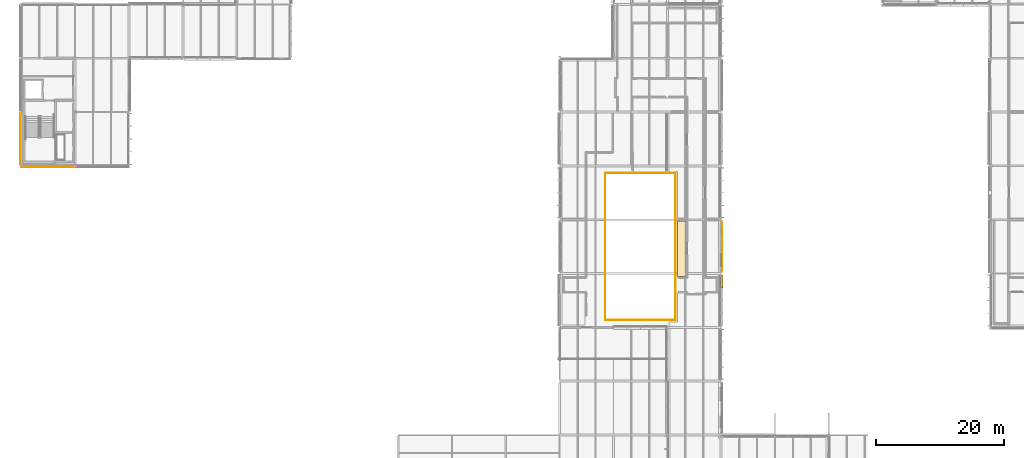
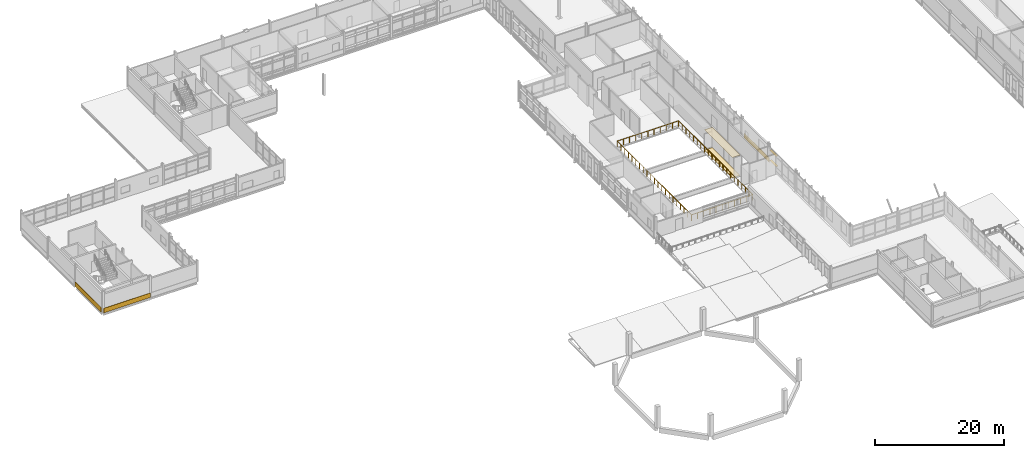
# One storey, part 119 of 131: 5 coverings, 2 shading devices, 1 railing.
"""IFC4 building model written with IfcOpenShell, lengths in metres."""

from ifc_helpers import new_model, si_unit, direction, frame, origin, origin_2d, place, context, subcontext, project, spatial, polyline, rectangle, circle, outline, extrude, material, layer, layer_set, type_object, element, save


model = new_model("IFC4")

# Units and contexts
model_context = context("Model", 3, precision=1e-05, world=origin(), true_north=direction((0.0, 1.0)))
body_context = subcontext(model_context, "Body", "Model", "MODEL_VIEW")
ifc_project = project(units=[si_unit("LENGTHUNIT", "METRE"), si_unit("AREAUNIT", "SQUARE_METRE"), si_unit("VOLUMEUNIT", "CUBIC_METRE"), si_unit("PLANEANGLEUNIT", "RADIAN"), si_unit("MASSUNIT", "GRAM", prefix="KILO")], contexts=[model_context])

# Site, building, storey
site_placement = place(None, origin())
site = spatial("IfcSite", under=ifc_project, at=site_placement, CompositionType="ELEMENT")
building_placement = place(site_placement, origin())
building = spatial("IfcBuilding", under=site, at=building_placement, Name="Mersafa Astral City Hall", CompositionType="ELEMENT")
storey_placement = place(building_placement, frame((0.0, 0.0, 13.949951171875)))
storey = spatial("IfcBuildingStorey", under=building, at=storey_placement, Name="L03", CompositionType="ELEMENT", Elevation=13.949951171875)

# Coverings
ifc_material_1 = material(Name="Cairo Mokattam buff limestone cladding", Category="masonry")
ifc_layer_1 = layer(ifc_material_1, 0.06005859375, Name="Cairo Mokattam buff limestone cladding")
ifc_layer_set_1 = layer_set([ifc_layer_1], Name="Cairo Mokattam buff limestone cladding — ENV-COV-LIMESTONE-60")
covering_type_1 = type_object("IfcCoveringType", Name="ENV-COV-LIMESTONE-60", PredefinedType="CLADDING", material=ifc_layer_set_1)
covering_1_placement = place(storey_placement, frame((117.777099609375, 63.0, 0.0), z_axis=(0.0, 0.0, 1.0), x_axis=(0.0, 1.0, 0.0)))
element("IfcCovering", 1, at=covering_1_placement, inside=storey, type_object=covering_type_1, Name="L03 Cairo buff limestone rainscreen cladding 220", PredefinedType="CLADDING", context=body_context, shape_type="SweptSolid", body=[
    extrude(rectangle(XDim=7.798095703125, YDim=0.06005859375, at=origin_2d()), origin(), (0.0, 0.0, 1.0), 0.860107421875),
])
covering_2_placement = place(storey_placement, frame((8.222900390625, 79.804931640625, 0.0), z_axis=(0.0, 0.0, 1.0), x_axis=(0.0, -1.0, 0.0)))
element("IfcCovering", 2, at=covering_2_placement, inside=storey, type_object=covering_type_1, Name="L03 Cairo buff limestone rainscreen cladding 256", PredefinedType="CLADDING", context=body_context, shape_type="SweptSolid", body=[
    extrude(rectangle(XDim=7.998046875, YDim=0.06005859375, at=origin_2d()), origin(), (0.0, 0.0, 1.0), 0.860107421875),
])
covering_3_placement = place(storey_placement, frame((12.60009765625, 75.430419921875, 0.0), z_axis=(0.0, 0.0, 1.0), x_axis=(1.0, 0.0, 0.0)))
element("IfcCovering", 3, at=covering_3_placement, inside=storey, type_object=covering_type_1, Name="L03 Cairo buff limestone rainscreen cladding 257", PredefinedType="CLADDING", context=body_context, shape_type="SweptSolid", body=[
    extrude(rectangle(XDim=8.323974609375, YDim=0.06005859375, at=origin_2d()), origin(), (0.0, 0.0, 1.0), 0.860107421875),
])

# Railing
ifc_material_2 = material(Name="Architectural steel atrium guard balustrade", Category="steel")
railing_type = type_object("IfcRailingType", Name="ENV-RAIL-ATRIUM-1120", PredefinedType="BALUSTRADE", material=ifc_material_2)
railing_placement = place(storey_placement, frame((99.530029296875, 51.530029296875, 0.0)))
element("IfcRailing", 4, at=railing_placement, inside=storey, type_object=railing_type, Name="L03 Multi-storey void guard balustrade VOID-L03-ATRIUM", PredefinedType="BALUSTRADE", context=body_context, shape_type="SweptSolid", body=[
    extrude(circle(Radius=0.02392578125, at=origin_2d()), frame((0.0, 0.0, 1.09619140625), z_axis=(1.0, 0.0, 0.0), x_axis=(0.0, 1.0, 0.0)), (0.0, 0.0, 1.0), 10.93994140625),
    extrude(circle(Radius=0.02392578125, at=origin_2d()), frame((10.93994140625, 0.0, 1.09619140625), z_axis=(0.0, 1.0, 0.0), x_axis=(-1.0, 0.0, 0.0)), (0.0, 0.0, 1.0), 22.93994140625),
    extrude(circle(Radius=0.02392578125, at=origin_2d()), frame((10.93994140625, 22.93994140625, 1.09619140625), z_axis=(-1.0, 0.0, 0.0), x_axis=(0.0, -1.0, 0.0)), (0.0, 0.0, 1.0), 10.93994140625),
    extrude(circle(Radius=0.02392578125, at=origin_2d()), frame((0.0, 22.93994140625, 1.09619140625), z_axis=(0.0, -1.0, 0.0), x_axis=(1.0, 0.0, 0.0)), (0.0, 0.0, 1.0), 22.93994140625),
    extrude(circle(Radius=0.02099609375, at=origin_2d()), origin(), (0.0, 0.0, 1.0), 1.072021484375),
    extrude(circle(Radius=0.02099609375, at=origin_2d()), frame((1.093994140625, 0.0, 0.0)), (0.0, 0.0, 1.0), 1.072021484375),
    extrude(circle(Radius=0.02099609375, at=origin_2d()), frame((2.18798828125, 0.0, 0.0)), (0.0, 0.0, 1.0), 1.072021484375),
    extrude(circle(Radius=0.02099609375, at=origin_2d()), frame((3.281982421875, 0.0, 0.0)), (0.0, 0.0, 1.0), 1.072021484375),
    extrude(circle(Radius=0.02099609375, at=origin_2d()), frame((4.3759765625, 0.0, 0.0)), (0.0, 0.0, 1.0), 1.072021484375),
    extrude(circle(Radius=0.02099609375, at=origin_2d()), frame((5.469970703125, 0.0, 0.0)), (0.0, 0.0, 1.0), 1.072021484375),
    extrude(circle(Radius=0.02099609375, at=origin_2d()), frame((6.56396484375, 0.0, 0.0)), (0.0, 0.0, 1.0), 1.072021484375),
    extrude(circle(Radius=0.02099609375, at=origin_2d()), frame((7.657958984375, 0.0, 0.0)), (0.0, 0.0, 1.0), 1.072021484375),
    extrude(circle(Radius=0.02099609375, at=origin_2d()), frame((8.751953125, 0.0, 0.0)), (0.0, 0.0, 1.0), 1.072021484375),
    extrude(circle(Radius=0.02099609375, at=origin_2d()), frame((9.845947265625, 0.0, 0.0)), (0.0, 0.0, 1.0), 1.072021484375),
    extrude(circle(Radius=0.02099609375, at=origin_2d()), frame((10.93994140625, 0.0, 0.0)), (0.0, 0.0, 1.0), 1.072021484375),
    extrude(circle(Radius=0.02099609375, at=origin_2d()), frame((10.93994140625, 1.14697265625, 0.0)), (0.0, 0.0, 1.0), 1.072021484375),
    extrude(circle(Radius=0.02099609375, at=origin_2d()), frame((10.93994140625, 2.2939453125, 0.0)), (0.0, 0.0, 1.0), 1.072021484375),
    extrude(circle(Radius=0.02099609375, at=origin_2d()), frame((10.93994140625, 3.44091796875, 0.0)), (0.0, 0.0, 1.0), 1.072021484375),
    extrude(circle(Radius=0.02099609375, at=origin_2d()), frame((10.93994140625, 4.587890625, 0.0)), (0.0, 0.0, 1.0), 1.072021484375),
    extrude(circle(Radius=0.02099609375, at=origin_2d()), frame((10.93994140625, 5.73486328125, 0.0)), (0.0, 0.0, 1.0), 1.072021484375),
    extrude(circle(Radius=0.02099609375, at=origin_2d()), frame((10.93994140625, 6.882080078125, 0.0)), (0.0, 0.0, 1.0), 1.072021484375),
    extrude(circle(Radius=0.02099609375, at=origin_2d()), frame((10.93994140625, 8.029052734375, 0.0)), (0.0, 0.0, 1.0), 1.072021484375),
    extrude(circle(Radius=0.02099609375, at=origin_2d()), frame((10.93994140625, 9.176025390625, 0.0)), (0.0, 0.0, 1.0), 1.072021484375),
    extrude(circle(Radius=0.02099609375, at=origin_2d()), frame((10.93994140625, 10.322998046875, 0.0)), (0.0, 0.0, 1.0), 1.072021484375),
    extrude(circle(Radius=0.02099609375, at=origin_2d()), frame((10.93994140625, 11.469970703125, 0.0)), (0.0, 0.0, 1.0), 1.072021484375),
    extrude(circle(Radius=0.02099609375, at=origin_2d()), frame((10.93994140625, 12.616943359375, 0.0)), (0.0, 0.0, 1.0), 1.072021484375),
    extrude(circle(Radius=0.02099609375, at=origin_2d()), frame((10.93994140625, 13.763916015625, 0.0)), (0.0, 0.0, 1.0), 1.072021484375),
    extrude(circle(Radius=0.02099609375, at=origin_2d()), frame((10.93994140625, 14.910888671875, 0.0)), (0.0, 0.0, 1.0), 1.072021484375),
    extrude(circle(Radius=0.02099609375, at=origin_2d()), frame((10.93994140625, 16.057861328125, 0.0)), (0.0, 0.0, 1.0), 1.072021484375),
    extrude(circle(Radius=0.02099609375, at=origin_2d()), frame((10.93994140625, 17.205078125, 0.0)), (0.0, 0.0, 1.0), 1.072021484375),
    extrude(circle(Radius=0.02099609375, at=origin_2d()), frame((10.93994140625, 18.35205078125, 0.0)), (0.0, 0.0, 1.0), 1.072021484375),
    extrude(circle(Radius=0.02099609375, at=origin_2d()), frame((10.93994140625, 19.4990234375, 0.0)), (0.0, 0.0, 1.0), 1.072021484375),
    extrude(circle(Radius=0.02099609375, at=origin_2d()), frame((10.93994140625, 20.64599609375, 0.0)), (0.0, 0.0, 1.0), 1.072021484375),
    extrude(circle(Radius=0.02099609375, at=origin_2d()), frame((10.93994140625, 21.79296875, 0.0)), (0.0, 0.0, 1.0), 1.072021484375),
    extrude(circle(Radius=0.02099609375, at=origin_2d()), frame((10.93994140625, 22.93994140625, 0.0)), (0.0, 0.0, 1.0), 1.072021484375),
    extrude(circle(Radius=0.02099609375, at=origin_2d()), frame((9.845947265625, 22.93994140625, 0.0)), (0.0, 0.0, 1.0), 1.072021484375),
    extrude(circle(Radius=0.02099609375, at=origin_2d()), frame((8.751953125, 22.93994140625, 0.0)), (0.0, 0.0, 1.0), 1.072021484375),
    extrude(circle(Radius=0.02099609375, at=origin_2d()), frame((7.657958984375, 22.93994140625, 0.0)), (0.0, 0.0, 1.0), 1.072021484375),
    extrude(circle(Radius=0.02099609375, at=origin_2d()), frame((6.56396484375, 22.93994140625, 0.0)), (0.0, 0.0, 1.0), 1.072021484375),
    extrude(circle(Radius=0.02099609375, at=origin_2d()), frame((5.469970703125, 22.93994140625, 0.0)), (0.0, 0.0, 1.0), 1.072021484375),
    extrude(circle(Radius=0.02099609375, at=origin_2d()), frame((4.3759765625, 22.93994140625, 0.0)), (0.0, 0.0, 1.0), 1.072021484375),
    extrude(circle(Radius=0.02099609375, at=origin_2d()), frame((3.281982421875, 22.93994140625, 0.0)), (0.0, 0.0, 1.0), 1.072021484375),
    extrude(circle(Radius=0.02099609375, at=origin_2d()), frame((2.18798828125, 22.93994140625, 0.0)), (0.0, 0.0, 1.0), 1.072021484375),
    extrude(circle(Radius=0.02099609375, at=origin_2d()), frame((1.093994140625, 22.93994140625, 0.0)), (0.0, 0.0, 1.0), 1.072021484375),
    extrude(circle(Radius=0.02099609375, at=origin_2d()), frame((0.0, 22.93994140625, 0.0)), (0.0, 0.0, 1.0), 1.072021484375),
    extrude(circle(Radius=0.02099609375, at=origin_2d()), frame((0.0, 21.79296875, 0.0)), (0.0, 0.0, 1.0), 1.072021484375),
    extrude(circle(Radius=0.02099609375, at=origin_2d()), frame((0.0, 20.64599609375, 0.0)), (0.0, 0.0, 1.0), 1.072021484375),
    extrude(circle(Radius=0.02099609375, at=origin_2d()), frame((0.0, 19.4990234375, 0.0)), (0.0, 0.0, 1.0), 1.072021484375),
    extrude(circle(Radius=0.02099609375, at=origin_2d()), frame((0.0, 18.35205078125, 0.0)), (0.0, 0.0, 1.0), 1.072021484375),
    extrude(circle(Radius=0.02099609375, at=origin_2d()), frame((0.0, 17.205078125, 0.0)), (0.0, 0.0, 1.0), 1.072021484375),
    extrude(circle(Radius=0.02099609375, at=origin_2d()), frame((0.0, 16.057861328125, 0.0)), (0.0, 0.0, 1.0), 1.072021484375),
    extrude(circle(Radius=0.02099609375, at=origin_2d()), frame((0.0, 14.910888671875, 0.0)), (0.0, 0.0, 1.0), 1.072021484375),
    extrude(circle(Radius=0.02099609375, at=origin_2d()), frame((0.0, 13.763916015625, 0.0)), (0.0, 0.0, 1.0), 1.072021484375),
    extrude(circle(Radius=0.02099609375, at=origin_2d()), frame((0.0, 12.616943359375, 0.0)), (0.0, 0.0, 1.0), 1.072021484375),
    extrude(circle(Radius=0.02099609375, at=origin_2d()), frame((0.0, 11.469970703125, 0.0)), (0.0, 0.0, 1.0), 1.072021484375),
    extrude(circle(Radius=0.02099609375, at=origin_2d()), frame((0.0, 10.322998046875, 0.0)), (0.0, 0.0, 1.0), 1.072021484375),
    extrude(circle(Radius=0.02099609375, at=origin_2d()), frame((0.0, 9.176025390625, 0.0)), (0.0, 0.0, 1.0), 1.072021484375),
    extrude(circle(Radius=0.02099609375, at=origin_2d()), frame((0.0, 8.029052734375, 0.0)), (0.0, 0.0, 1.0), 1.072021484375),
    extrude(circle(Radius=0.02099609375, at=origin_2d()), frame((0.0, 6.882080078125, 0.0)), (0.0, 0.0, 1.0), 1.072021484375),
    extrude(circle(Radius=0.02099609375, at=origin_2d()), frame((0.0, 5.73486328125, 0.0)), (0.0, 0.0, 1.0), 1.072021484375),
    extrude(circle(Radius=0.02099609375, at=origin_2d()), frame((0.0, 4.587890625, 0.0)), (0.0, 0.0, 1.0), 1.072021484375),
    extrude(circle(Radius=0.02099609375, at=origin_2d()), frame((0.0, 3.44091796875, 0.0)), (0.0, 0.0, 1.0), 1.072021484375),
    extrude(circle(Radius=0.02099609375, at=origin_2d()), frame((0.0, 2.2939453125, 0.0)), (0.0, 0.0, 1.0), 1.072021484375),
    extrude(circle(Radius=0.02099609375, at=origin_2d()), frame((0.0, 1.14697265625, 0.0)), (0.0, 0.0, 1.0), 1.072021484375),
])

# Shading devices
ifc_material_3 = material(Name="Kiln-dried cedar timber brise-soleil blade", Category="wood")
shading_device_type = type_object("IfcShadingDeviceType", Name="ENV-SHD-LOUVRE-380", PredefinedType="JALOUSIE", material=ifc_material_3)
for number, where, z_axis, x_axis, name in (
    (5, (117.679931640625, 57.519775390625, 0.81494140625), (0.0, 0.0, 1.0), (0.0, 1.0, 0.0), "L03 Horizontal cedar brise-soleil louvre 976"),
    (6, (117.679931640625, 57.519775390625, 2.71484375), (0.0, 0.0, 1.0), (0.0, 1.0, 0.0), "L03 Horizontal cedar brise-soleil louvre 980"),
):
    element("IfcShadingDevice", number, at=place(storey_placement, frame(where, z_axis=z_axis, x_axis=x_axis)), inside=storey, type_object=shading_device_type, Name=name, PredefinedType="JALOUSIE", context=body_context, shape_type="SweptSolid", body=[
        extrude(rectangle(XDim=1.966552734375, YDim=0.3798828125, at=origin_2d()), origin(), (0.0, 0.0, 1.0), 0.070068359375),
    ])

# Coverings
ifc_material_4 = material(Name="Perforated acoustic gypsum board ceiling", Category="gypsum")
ifc_layer_2 = layer(ifc_material_4, 0.02490234375, Name="Perforated acoustic gypsum board ceiling")
ifc_layer_set_2 = layer_set([ifc_layer_2], Name="Perforated acoustic gypsum board ceiling — INT-COV-CEIL-25")
covering_type_2 = type_object("IfcCoveringType", Name="INT-COV-CEIL-25", PredefinedType="CEILING", material=ifc_layer_set_2)
covering_4_placement = place(storey_placement, frame((0.0, 0.0, 3.8310546875)))
element("IfcCovering", 7, at=covering_4_placement, inside=storey, type_object=covering_type_2, Name="L03 Public Procurement Review Room L03-34 acoustic ceiling", PredefinedType="CEILING", context=body_context, shape_type="SweptSolid", body=[
    extrude(outline(polyline([(110.760009765625, 66.969970703125), (112.139892578125, 66.969970703125), (112.139892578125, 58.320068359375), (110.760009765625, 58.320068359375), (110.760009765625, 66.969970703125)])), origin(), (0.0, 0.0, 1.0), 0.02490234375),
])
ifc_material_5 = material(Name="Heavy-duty woven acoustic carpet tile", Category="finish")
ifc_layer_3 = layer(ifc_material_5, 0.014892578125, Name="Heavy-duty woven acoustic carpet tile")
ifc_layer_set_3 = layer_set([ifc_layer_3], Name="Heavy-duty woven acoustic carpet tile — INT-COV-FLR-15")
covering_type_3 = type_object("IfcCoveringType", Name="INT-COV-FLR-15", PredefinedType="FLOORING", material=ifc_layer_set_3)
covering_5_placement = place(storey_placement, frame((0.0, 0.0, -0.00146484375)))
element("IfcCovering", 8, at=covering_5_placement, inside=storey, type_object=covering_type_3, Name="L03 Public Procurement Review Room L03-34 architectural flooring", PredefinedType="FLOORING", context=body_context, shape_type="SweptSolid", body=[
    extrude(outline(polyline([(110.760009765625, 66.969970703125), (112.139892578125, 66.969970703125), (112.139892578125, 58.320068359375), (110.760009765625, 58.320068359375), (110.760009765625, 66.969970703125)])), origin(), (0.0, 0.0, 1.0), 0.014892578125),
])

save(model, "model.ifc")
